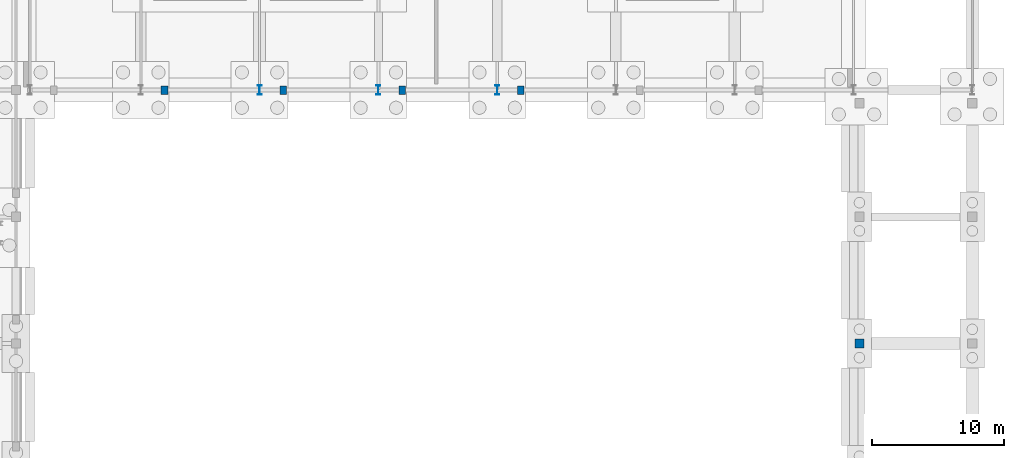
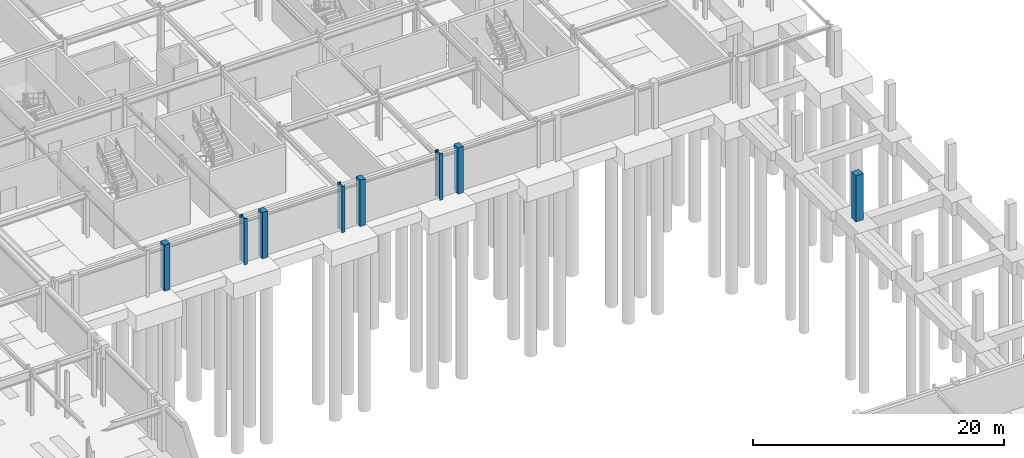
# One storey, part 26 of 59: 8 columns.
"""IFC4 building model written with IfcOpenShell, lengths in metres."""

from ifc_helpers import new_model, si_unit, direction, frame, origin, origin_2d, place, context, subcontext, project, spatial, rectangle, i_section, extrude, material, material_profile, profile_set, type_object, element, save


model = new_model("IFC4")

# Units and contexts
model_context = context("Model", 3, precision=1e-05, world=origin(), true_north=direction((0.0, 1.0)))
body_context = subcontext(model_context, "Body", "Model", "MODEL_VIEW")
ifc_project = project(units=[si_unit("LENGTHUNIT", "METRE"), si_unit("AREAUNIT", "SQUARE_METRE"), si_unit("VOLUMEUNIT", "CUBIC_METRE"), si_unit("PLANEANGLEUNIT", "RADIAN"), si_unit("MASSUNIT", "GRAM", prefix="KILO")], contexts=[model_context])

# Site, building, storey
site_placement = place(None, origin())
site = spatial("IfcSite", under=ifc_project, at=site_placement, CompositionType="ELEMENT")
building_placement = place(site_placement, origin())
building = spatial("IfcBuilding", under=site, at=building_placement, Name="Myrtia Square Station", CompositionType="ELEMENT")
storey_placement = place(building_placement, frame((0.0, 0.0, -4.5)))
storey = spatial("IfcBuildingStorey", under=building, at=storey_placement, Name="B01", CompositionType="ELEMENT", Elevation=-4.5)

# Columns
ifc_material_1 = material(Name="Steel S355", Category="steel")
ifc_material_profile_1 = material_profile(ifc_material_1, i_section(OverallWidth=0.300048828125, OverallDepth=0.699951171875, WebThickness=0.01708984375, FlangeThickness=0.031982421875, FilletRadius=0.027099609375, at=origin_2d()), Name="HEB 700")
ifc_profile_set_1 = profile_set([ifc_material_profile_1], Name="Steel S355")
column_type_1 = type_object("IfcColumnType", Name="COL-HEB700", PredefinedType="COLUMN", material=ifc_profile_set_1)
for number, where, z_axis, x_axis, name in (
    (1, (135.0, 86.39990234375, 0.0), (0.0, 0.0, 1.0), (1.0, 0.0, 0.0), "Column B01-0809"),
    (2, (144.0, 86.39990234375, 0.0), (0.0, 0.0, 1.0), (1.0, 0.0, 0.0), "Column B01-0839"),
    (3, (153.0, 86.39990234375, 0.0), (0.0, 0.0, 1.0), (1.0, 0.0, 0.0), "Column B01-0869"),
):
    element("IfcColumn", number, at=place(storey_placement, frame(where, z_axis=z_axis, x_axis=x_axis)), inside=storey, type_object=column_type_1, Name=name, PredefinedType="COLUMN", context=body_context, shape_type="SweptSolid", body=[
        extrude(i_section(OverallWidth=0.300048828125, OverallDepth=0.699951171875, WebThickness=0.01708984375, FlangeThickness=0.031982421875, FilletRadius=0.027099609375, at=origin_2d()), origin(), (0.0, 0.0, 1.0), 4.5),
    ])
ifc_material_2 = material(Name="Concrete C40/50", Category="concrete")
ifc_material_profile_2 = material_profile(ifc_material_2, rectangle(XDim=0.699951171875, YDim=0.699951171875, at=origin_2d()), Name="RC 700x700")
ifc_profile_set_2 = profile_set([ifc_material_profile_2], Name="Concrete C40/50")
column_type_2 = type_object("IfcColumnType", Name="COL-RC700", PredefinedType="COLUMN", material=ifc_profile_set_2)
column_placement = place(storey_placement, frame((180.449951171875, 67.199951171875, 0.0), z_axis=(0.0, 0.0, 1.0), x_axis=(1.0, 0.0, 0.0)))
element("IfcColumn", 4, at=column_placement, inside=storey, type_object=column_type_2, Name="Column B01-0487", PredefinedType="COLUMN", context=body_context, shape_type="SweptSolid", body=[
    extrude(rectangle(XDim=0.699951171875, YDim=0.699951171875, at=origin_2d()), origin(), (0.0, 0.0, 1.0), 4.5),
])
ifc_material_profile_3 = material_profile(ifc_material_2, rectangle(XDim=0.5, YDim=0.64990234375, at=origin_2d()), Name="PIL 500x650")
ifc_profile_set_3 = profile_set([ifc_material_profile_3], Name="Concrete C40/50")
column_type_3 = type_object("IfcColumnType", Name="PIL-RC500x650", PredefinedType="PILASTER", material=ifc_profile_set_3)
for number, where, z_axis, x_axis, name in (
    (5, (127.800048828125, 86.39990234375, 0.0), (0.0, 0.0, 1.0), (1.0, 0.0, 0.0), "Portales arcade pilaster B01-14"),
    (6, (136.800048828125, 86.39990234375, 0.0), (0.0, 0.0, 1.0), (1.0, 0.0, 0.0), "Portales arcade pilaster B01-15"),
    (7, (145.800048828125, 86.39990234375, 0.0), (0.0, 0.0, 1.0), (1.0, 0.0, 0.0), "Portales arcade pilaster B01-16"),
    (8, (154.800048828125, 86.39990234375, 0.0), (0.0, 0.0, 1.0), (1.0, 0.0, 0.0), "Portales arcade pilaster B01-17"),
):
    element("IfcColumn", number, at=place(storey_placement, frame(where, z_axis=z_axis, x_axis=x_axis)), inside=storey, type_object=column_type_3, Name=name, PredefinedType="PILASTER", context=body_context, shape_type="SweptSolid", body=[
        extrude(rectangle(XDim=0.5, YDim=0.64990234375, at=origin_2d()), origin(), (0.0, 0.0, 1.0), 4.5),
    ])

save(model, "model.ifc")
